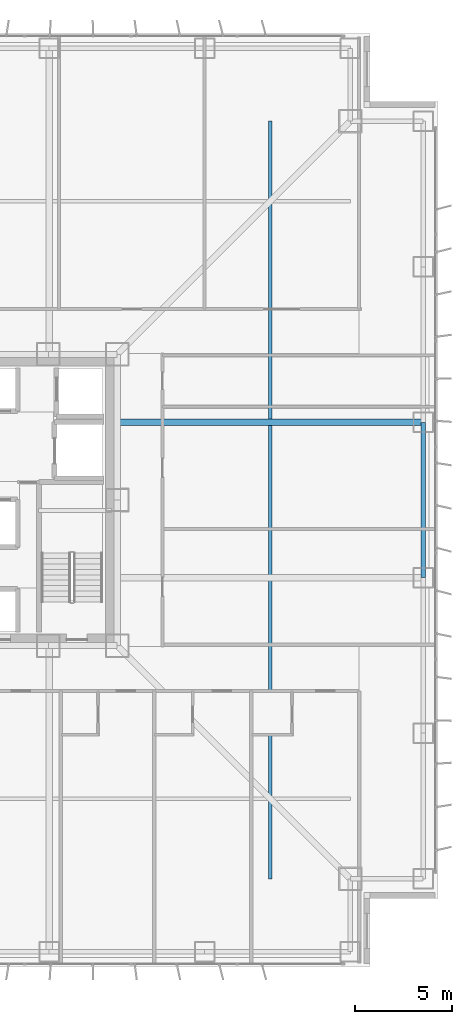
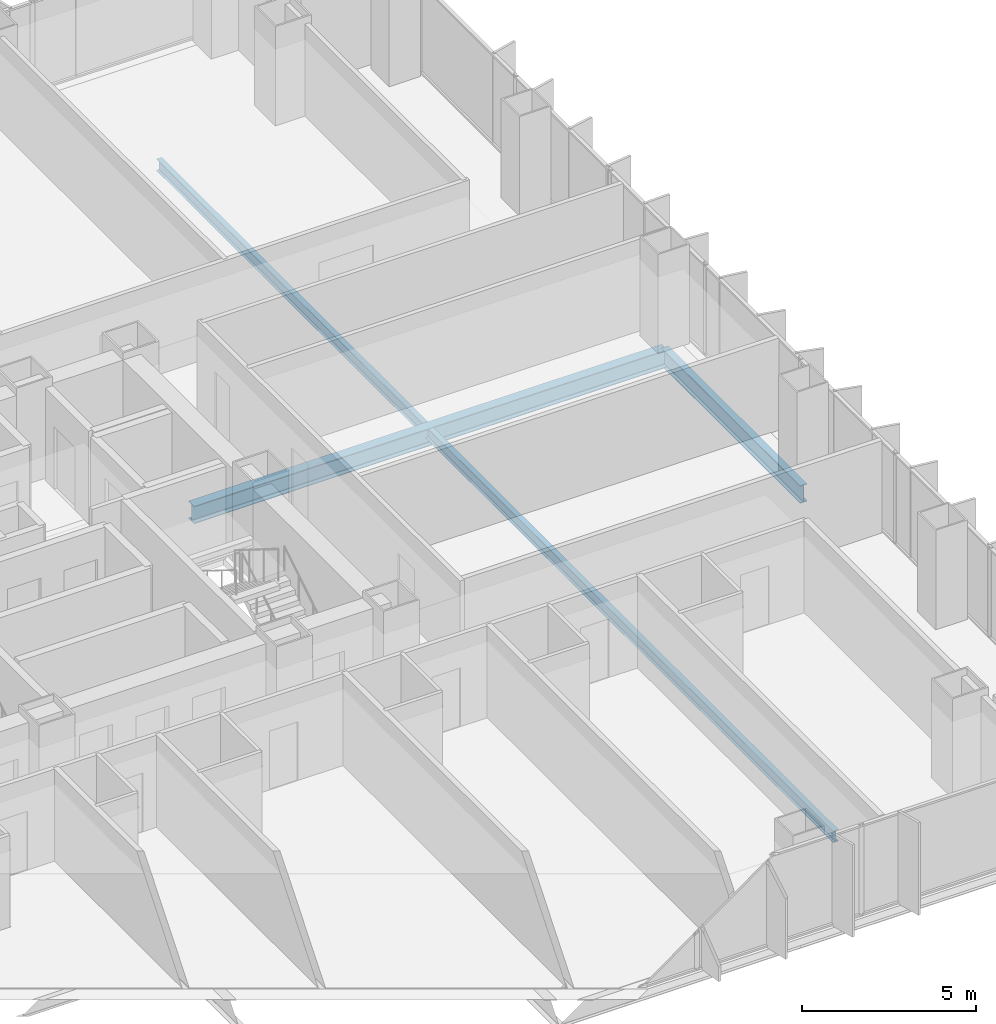
# One storey, part 7 of 19: 3 beams.
"""IFC4 building model written with IfcOpenShell, lengths in metres."""

from ifc_helpers import new_model, si_unit, direction, frame, origin, origin_2d, place, context, subcontext, project, spatial, i_section, extrude, material, material_profile, profile_set, type_object, element, save


model = new_model("IFC4")

# Units and contexts
model_context = context("Model", 3, precision=1e-05, world=origin(), true_north=direction((0.0, 1.0)))
body_context = subcontext(model_context, "Body", "Model", "MODEL_VIEW")
ifc_project = project(units=[si_unit("LENGTHUNIT", "METRE"), si_unit("AREAUNIT", "SQUARE_METRE"), si_unit("VOLUMEUNIT", "CUBIC_METRE"), si_unit("PLANEANGLEUNIT", "RADIAN"), si_unit("MASSUNIT", "GRAM", prefix="KILO")], contexts=[model_context])

# Site, building, storey
site_placement = place(None, origin())
site = spatial("IfcSite", under=ifc_project, at=site_placement, CompositionType="ELEMENT")
building_placement = place(site_placement, origin())
building = spatial("IfcBuilding", under=site, at=building_placement, Name="Trevonay Congress Spire", CompositionType="ELEMENT")
storey_placement = place(building_placement, frame((0.0, 0.0, 58.5)))
storey = spatial("IfcBuildingStorey", under=building, at=storey_placement, Name="L14", CompositionType="ELEMENT", Elevation=58.5)

# Beams
ifc_material = material(Name="Steel ASTM A572 Grade 50", Category="steel")
ifc_material_profile_1 = material_profile(ifc_material, i_section(OverallWidth=0.324951171875, OverallDepth=0.615966796875, WebThickness=0.013916015625, FlangeThickness=0.021484375, FilletRadius=0.01806640625, at=origin_2d()), Name="W610x174")
ifc_profile_set_1 = profile_set([ifc_material_profile_1], Name="Steel ASTM A572 Grade 50")
beam_type_1 = type_object("IfcBeamType", Name="BM-GIRD-W610X174", PredefinedType="BEAM", material=ifc_profile_set_1)
beam_1_placement = place(storey_placement, frame((7.5, 4.0, -0.55810546875), z_axis=(1.0, 0.0, 0.0), x_axis=(0.0, 1.0, 0.0)))
element("IfcBeam", 1, at=beam_1_placement, inside=storey, type_object=beam_type_1, Name="L14 structural beam BM-L14-GE-P", PredefinedType="BEAM", context=body_context, shape_type="SweptSolid", body=[
    extrude(i_section(OverallWidth=0.324951171875, OverallDepth=0.615966796875, WebThickness=0.013916015625, FlangeThickness=0.021484375, FilletRadius=0.01806640625, at=origin_2d()), origin(), (0.0, 0.0, 1.0), 15.75),
])
ifc_material_profile_2 = material_profile(ifc_material, i_section(OverallWidth=0.22998046875, OverallDepth=0.616943359375, WebThickness=0.01318359375, FlangeThickness=0.022216796875, FilletRadius=0.01611328125, at=origin_2d()), Name="W610x140")
ifc_profile_set_2 = profile_set([ifc_material_profile_2], Name="Steel ASTM A572 Grade 50")
beam_type_2 = type_object("IfcBeamType", Name="BM-RING-W610X140", PredefinedType="BEAM", material=ifc_profile_set_2)
beam_2_placement = place(storey_placement, frame((23.25, -4.0, -0.55859375), z_axis=(0.0, 1.0, 0.0), x_axis=(-1.0, 0.0, 0.0)))
element("IfcBeam", 2, at=beam_2_placement, inside=storey, type_object=beam_type_2, Name="L14 structural beam BM-L14-PE3", PredefinedType="BEAM", context=body_context, shape_type="SweptSolid", body=[
    extrude(i_section(OverallWidth=0.22998046875, OverallDepth=0.616943359375, WebThickness=0.01318359375, FlangeThickness=0.022216796875, FilletRadius=0.01611328125, at=origin_2d()), origin(), (0.0, 0.0, 1.0), 8.0),
])
ifc_material_profile_3 = material_profile(ifc_material, i_section(OverallWidth=0.177978515625, OverallDepth=0.406982421875, WebThickness=0.0078125, FlangeThickness=0.0126953125, FilletRadius=0.012939453125, at=origin_2d()), Name="W410x60")
ifc_profile_set_3 = profile_set([ifc_material_profile_3], Name="Steel ASTM A572 Grade 50")
beam_type_3 = type_object("IfcBeamType", Name="JS-COMP-W410X60", PredefinedType="JOIST", material=ifc_profile_set_3)
beam_3_placement = place(storey_placement, frame((15.375, -19.5, -0.45361328125), z_axis=(0.0, 1.0, 0.0), x_axis=(-1.0, 0.0, 0.0)))
element("IfcBeam", 3, at=beam_3_placement, inside=storey, type_object=beam_type_3, Name="L14 structural beam JS-L14-RING-E", PredefinedType="JOIST", context=body_context, shape_type="SweptSolid", body=[
    extrude(i_section(OverallWidth=0.177978515625, OverallDepth=0.406982421875, WebThickness=0.0078125, FlangeThickness=0.0126953125, FilletRadius=0.012939453125, at=origin_2d()), origin(), (0.0, 0.0, 1.0), 39.0),
])

save(model, "model.ifc")
